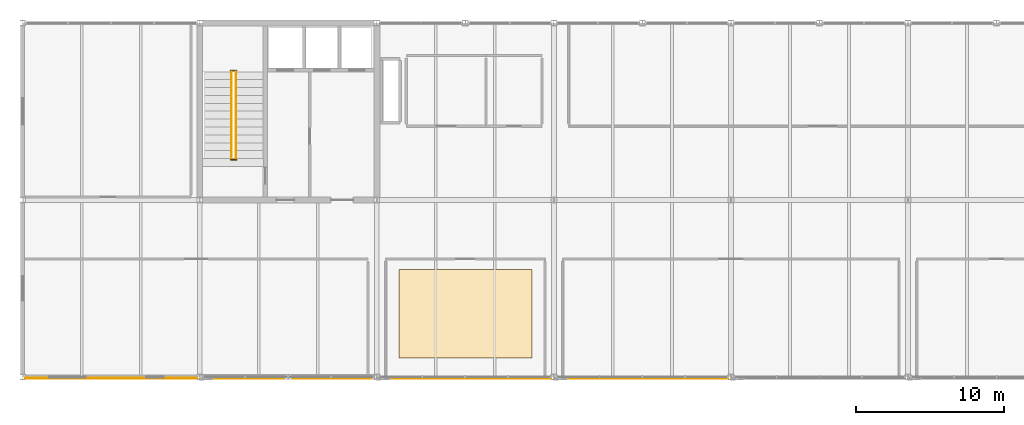
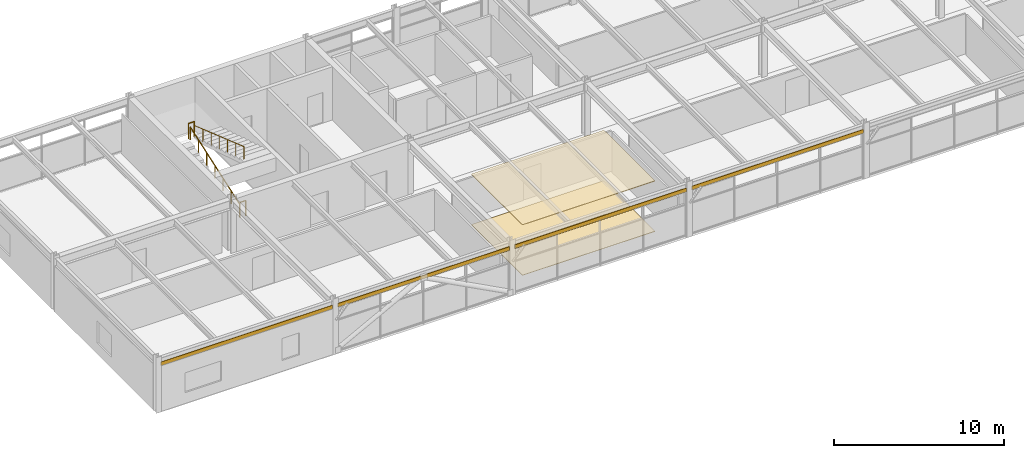
# One storey, part 39 of 40: 4 railings, 4 shading devices, 2 coverings.
"""IFC4 building model written with IfcOpenShell, lengths in metres."""

from ifc_helpers import new_model, si_unit, direction, frame, origin, origin_2d, place, context, subcontext, project, spatial, rectangle, circle, extrude, material, layer, layer_set, type_object, element, save


model = new_model("IFC4")

# Units and contexts
model_context = context("Model", 3, precision=1e-05, world=origin(), true_north=direction((0.0, 1.0)))
body_context = subcontext(model_context, "Body", "Model", "MODEL_VIEW")
ifc_project = project(units=[si_unit("LENGTHUNIT", "METRE"), si_unit("AREAUNIT", "SQUARE_METRE"), si_unit("VOLUMEUNIT", "CUBIC_METRE"), si_unit("PLANEANGLEUNIT", "RADIAN"), si_unit("MASSUNIT", "GRAM", prefix="KILO")], contexts=[model_context])

# Site, building, storey
site_placement = place(None, origin())
site = spatial("IfcSite", under=ifc_project, at=site_placement, CompositionType="ELEMENT")
building_placement = place(site_placement, origin())
building = spatial("IfcBuilding", under=site, at=building_placement, Name="Girod Span Mobility Hub", CompositionType="ELEMENT")
storey_placement = place(building_placement, frame((0.0, 0.0, 53.60009765625)))
storey = spatial("IfcBuildingStorey", under=building, at=storey_placement, Name="L13", CompositionType="ELEMENT", Elevation=53.60009765625)

# Coverings
ifc_material_1 = material(Name="Perforated Mineral-Fibre Acoustic Ceiling Tile", Category="mineral")
ifc_layer_1 = layer(ifc_material_1, 0.044921875)
ifc_layer_set_1 = layer_set([ifc_layer_1], Name="Perforated Mineral-Fibre Acoustic Ceiling Tile")
covering_type_1 = type_object("IfcCoveringType", Name="COV-CLG-900X600", PredefinedType="CEILING", material=ifc_layer_set_1)
covering_1_placement = place(storey_placement, frame((66.0, 49.300048828125, 3.60498046875), z_axis=(0.0, 0.0, 1.0), x_axis=(1.0, 0.0, 0.0)))
element("IfcCovering", 1, at=covering_1_placement, inside=storey, type_object=covering_type_1, Name="Office Suite Terrace Portal West L13 Acoustic Ceiling", PredefinedType="CEILING", context=body_context, shape_type="SweptSolid", body=[
    extrude(rectangle(XDim=9.0, YDim=6.0, at=origin_2d()), origin(), (0.0, 0.0, 1.0), 0.044921875),
])
ifc_material_2 = material(Name="Epoxy Terrazzo and Raised Access Flooring", Category="polymer")
ifc_layer_2 = layer(ifc_material_2, 0.030029296875)
ifc_layer_set_2 = layer_set([ifc_layer_2], Name="Epoxy Terrazzo and Raised Access Flooring")
covering_type_2 = type_object("IfcCoveringType", Name="COV-FLR-900X600", PredefinedType="FLOORING", material=ifc_layer_set_2)
covering_2_placement = place(storey_placement, frame((66.0, 49.300048828125, 0.0), z_axis=(0.0, 0.0, 1.0), x_axis=(1.0, 0.0, 0.0)))
element("IfcCovering", 2, at=covering_2_placement, inside=storey, type_object=covering_type_2, Name="Office Suite Terrace Portal West L13 Floor Finish", PredefinedType="FLOORING", context=body_context, shape_type="SweptSolid", body=[
    extrude(rectangle(XDim=9.0, YDim=6.0, at=origin_2d()), origin(), (0.0, 0.0, 1.0), 0.030029296875),
])

# Railings
ifc_material_3 = material(Name="Painted Galvanised Steel", Category="steel")
ifc_layer_3 = layer(ifc_material_3, 0.06494140625)
ifc_layer_set_3 = layer_set([ifc_layer_3], Name="Painted Galvanised Steel")
railing_type_1 = type_object("IfcRailingType", Name="RL-GRD-1120", PredefinedType="GUARDRAIL", material=ifc_layer_set_3)
for number, where, name in (
    (3, (50.10009765625, 65.77001953125, 2.0), "Stair ST-1 Half-Landing Well Guard L13"),
    (4, (50.10009765625, 59.72998046875, 0.0), "Stair ST-1 Landing Well Guard L13"),
):
    element("IfcRailing", number, at=place(storey_placement, frame(where)), inside=storey, type_object=railing_type_1, Name=name, PredefinedType="GUARDRAIL", context=body_context, shape_type="SweptSolid", body=[
        extrude(circle(Radius=0.02392578125, at=origin_2d()), frame((0.0, 0.0, 1.09619140625), z_axis=(1.0, 0.0, 0.0), x_axis=(0.0, 1.0, 0.0)), (0.0, 0.0, 1.0), 0.39990234375),
        extrude(circle(Radius=0.02099609375, at=origin_2d()), origin(), (0.0, 0.0, 1.0), 1.072021484375),
        extrude(circle(Radius=0.02099609375, at=origin_2d()), frame((0.39990234375, 0.0, 0.0)), (0.0, 0.0, 1.0), 1.072021484375),
    ])
ifc_material_4 = material(Name="Painted Galvanised Steel", Category="steel")
ifc_layer_4 = layer(ifc_material_4, 0.050048828125)
ifc_layer_set_4 = layer_set([ifc_layer_4], Name="Painted Galvanised Steel")
railing_type_2 = type_object("IfcRailingType", Name="RL-HR-920", PredefinedType="HANDRAIL", material=ifc_layer_set_4)
railing_1_placement = place(storey_placement, frame((50.14990234375, 59.860107421875, 0.0)))
element("IfcRailing", 5, at=railing_1_placement, inside=storey, type_object=railing_type_2, Name="Stair ST-1 Flight 1 Handrail L13", PredefinedType="HANDRAIL", context=body_context, shape_type="SweptSolid", body=[
    extrude(circle(Radius=0.02392578125, at=origin_2d()), frame((0.0, 0.0, 0.89599609375), z_axis=(0.0, 0.945021187488, 0.327009105681), x_axis=(-1.0, 0.0, 0.0)), (0.0, 0.0, 1.0), 6.115966796875),
    extrude(circle(Radius=0.02099609375, at=origin_2d()), origin(), (0.0, 0.0, 1.0), 0.871826171875),
    extrude(circle(Radius=0.02099609375, at=origin_2d()), frame((0.0, 0.96337890625, 0.333251953125)), (0.0, 0.0, 1.0), 0.871826171875),
    extrude(circle(Radius=0.02099609375, at=origin_2d()), frame((0.0, 1.926513671875, 0.666748046875)), (0.0, 0.0, 1.0), 0.871826171875),
    extrude(circle(Radius=0.02099609375, at=origin_2d()), frame((0.0, 2.889892578125, 1.0)), (0.0, 0.0, 1.0), 0.871826171875),
    extrude(circle(Radius=0.02099609375, at=origin_2d()), frame((0.0, 3.853271484375, 1.333251953125)), (0.0, 0.0, 1.0), 0.871826171875),
    extrude(circle(Radius=0.02099609375, at=origin_2d()), frame((0.0, 4.81640625, 1.666748046875)), (0.0, 0.0, 1.0), 0.871826171875),
    extrude(circle(Radius=0.02099609375, at=origin_2d()), frame((0.0, 5.77978515625, 2.0)), (0.0, 0.0, 1.0), 0.871826171875),
])
railing_2_placement = place(storey_placement, frame((50.449951171875, 65.639892578125, 2.0)))
element("IfcRailing", 6, at=railing_2_placement, inside=storey, type_object=railing_type_2, Name="Stair ST-1 Flight 2 Handrail L13", PredefinedType="HANDRAIL", context=body_context, shape_type="SweptSolid", body=[
    extrude(circle(Radius=0.02392578125, at=origin_2d()), frame((0.0, 0.0, 0.89599609375), z_axis=(0.0, -0.945021187488, 0.327009105681), x_axis=(1.0, 0.0, 0.0)), (0.0, 0.0, 1.0), 6.115966796875),
    extrude(circle(Radius=0.02099609375, at=origin_2d()), origin(), (0.0, 0.0, 1.0), 0.871826171875),
    extrude(circle(Radius=0.02099609375, at=origin_2d()), frame((0.0, -0.96337890625, 0.333251953125)), (0.0, 0.0, 1.0), 0.871826171875),
    extrude(circle(Radius=0.02099609375, at=origin_2d()), frame((0.0, -1.926513671875, 0.666748046875)), (0.0, 0.0, 1.0), 0.871826171875),
    extrude(circle(Radius=0.02099609375, at=origin_2d()), frame((0.0, -2.889892578125, 1.0)), (0.0, 0.0, 1.0), 0.871826171875),
    extrude(circle(Radius=0.02099609375, at=origin_2d()), frame((0.0, -3.853271484375, 1.333251953125)), (0.0, 0.0, 1.0), 0.871826171875),
    extrude(circle(Radius=0.02099609375, at=origin_2d()), frame((0.0, -4.81640625, 1.666748046875)), (0.0, 0.0, 1.0), 0.871826171875),
    extrude(circle(Radius=0.02099609375, at=origin_2d()), frame((0.0, -5.77978515625, 2.0)), (0.0, 0.0, 1.0), 0.871826171875),
])

# Shading devices
ifc_material_5 = material(Name="Aluminium 6063-T6", Category="aluminium")
ifc_layer_5 = layer(ifc_material_5, 0.0380859375)
ifc_layer_set_5 = layer_set([ifc_layer_5], Name="Aluminium 6063-T6")
shading_device_type = type_object("IfcShadingDeviceType", Name="SHD-SHT-11635X260X38", PredefinedType="SHUTTER", material=ifc_layer_set_5)
for number, where, z_axis, x_axis, name in (
    (7, (42.0, 44.919921875, 3.2509765625), (0.0, 0.0, 1.0), (1.0, 0.0, 0.0), "External Solar Shading Blade 4 L13"),
    (8, (54.0, 44.919921875, 3.2509765625), (0.0, 0.0, 1.0), (1.0, 0.0, 0.0), "External Solar Shading Blade 5 L13"),
    (9, (66.0, 44.919921875, 3.2509765625), (0.0, 0.0, 1.0), (1.0, 0.0, 0.0), "External Solar Shading Blade 6 L13"),
    (10, (78.0, 44.919921875, 3.2509765625), (0.0, 0.0, 1.0), (1.0, 0.0, 0.0), "External Solar Shading Blade 7 L13"),
):
    element("IfcShadingDevice", number, at=place(storey_placement, frame(where, z_axis=z_axis, x_axis=x_axis)), inside=storey, type_object=shading_device_type, Name=name, PredefinedType="SHUTTER", context=body_context, shape_type="SweptSolid", body=[
        extrude(rectangle(XDim=11.635009765625, YDim=0.0380859375, at=origin_2d()), origin(), (0.0, 0.0, 1.0), 0.260009765625),
    ])

save(model, "model.ifc")
